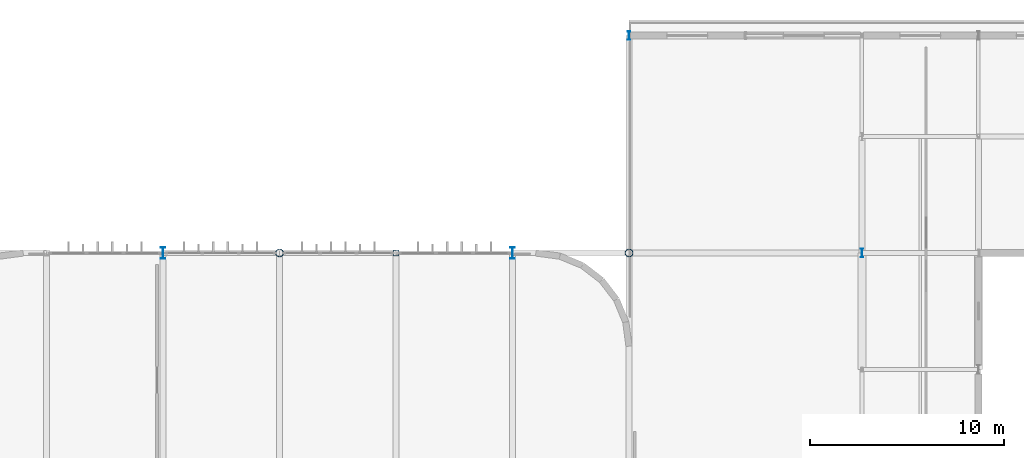
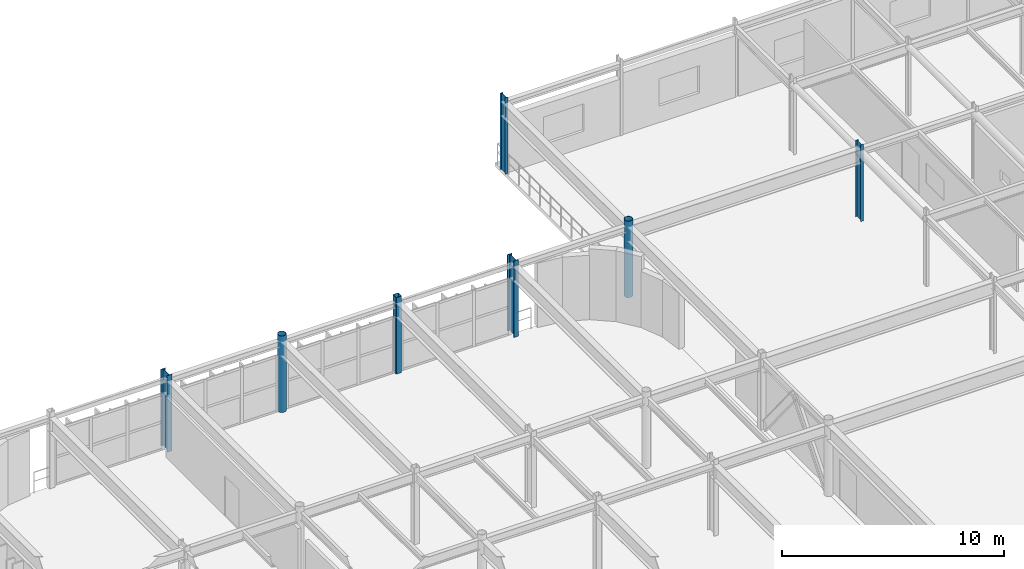
# One storey, part 19 of 116: 7 columns.
"""IFC4 building model written with IfcOpenShell, lengths in metres."""

from ifc_helpers import new_model, si_unit, direction, frame, origin, origin_2d, place, context, subcontext, project, spatial, hollow_rectangle, hollow_circle, i_section, extrude, material, material_profile, profile_set, type_object, element, save


model = new_model("IFC4")

# Units and contexts
model_context = context("Model", 3, precision=1e-05, world=origin(), true_north=direction((0.0, 1.0)))
body_context = subcontext(model_context, "Body", "Model", "MODEL_VIEW")
ifc_project = project(units=[si_unit("LENGTHUNIT", "METRE"), si_unit("AREAUNIT", "SQUARE_METRE"), si_unit("VOLUMEUNIT", "CUBIC_METRE"), si_unit("PLANEANGLEUNIT", "RADIAN"), si_unit("MASSUNIT", "GRAM", prefix="KILO")], contexts=[model_context])

# Site, building, storey
site_placement = place(None, origin())
site = spatial("IfcSite", under=ifc_project, at=site_placement, CompositionType="ELEMENT")
building_placement = place(site_placement, origin())
building = spatial("IfcBuilding", under=site, at=building_placement, Name="Varnakota Square Police Headquarters", CompositionType="ELEMENT")
storey_placement = place(building_placement, frame((0.0, 0.0, 9.300048828125)))
storey = spatial("IfcBuildingStorey", under=building, at=storey_placement, Name="L02", CompositionType="ELEMENT", Elevation=9.300048828125)

# Columns
ifc_material = material(Name="Steel IS 2062 Grade 350", Category="steel")
ifc_material_profile_1 = material_profile(ifc_material, hollow_circle(Radius=0.203125, WallThickness=0.01611328125, at=origin_2d()), Name="CHS 406.4x16.0")
ifc_profile_set_1 = profile_set([ifc_material_profile_1], Name="Steel IS 2062 Grade 350")
column_type_1 = type_object("IfcColumnType", Name="COL-CHS406", PredefinedType="COLUMN", material=ifc_profile_set_1)
for number, where, z_axis, x_axis, name in (
    (1, (78.0, 99.0, 0.0), (0.0, 0.0, 1.0), (1.0, 0.0, 0.0), "Column X0780-Y0990 L02"),
    (2, (96.0, 99.0, 0.0), (0.0, 0.0, 1.0), (1.0, 0.0, 0.0), "Column X0960-Y0990 L02"),
):
    element("IfcColumn", number, at=place(storey_placement, frame(where, z_axis=z_axis, x_axis=x_axis)), inside=storey, type_object=column_type_1, Name=name, PredefinedType="COLUMN", context=body_context, shape_type="SweptSolid", body=[
        extrude(hollow_circle(Radius=0.203125, WallThickness=0.01611328125, at=origin_2d()), origin(), (0.0, 0.0, 1.0), 4.199951171875),
    ])
ifc_material_profile_2 = material_profile(ifc_material, i_section(OverallWidth=0.14990234375, OverallDepth=0.449951171875, WebThickness=0.009521484375, FlangeThickness=0.017333984375, FilletRadius=0.014892578125, at=origin_2d()), Name="ISMB 450")
ifc_profile_set_2 = profile_set([ifc_material_profile_2], Name="Steel IS 2062 Grade 350")
column_type_2 = type_object("IfcColumnType", Name="COL-ISMB450", PredefinedType="COLUMN", material=ifc_profile_set_2)
for number, where, z_axis, x_axis, name in (
    (3, (96.0, 110.199951171875, 0.0), (0.0, 0.0, 1.0), (1.0, 0.0, 0.0), "Column X0960-Y1102 L02"),
    (4, (108.0, 99.0, 0.0), (0.0, 0.0, 1.0), (1.0, 0.0, 0.0), "Column X1080-Y0990 L02"),
):
    element("IfcColumn", number, at=place(storey_placement, frame(where, z_axis=z_axis, x_axis=x_axis)), inside=storey, type_object=column_type_2, Name=name, PredefinedType="COLUMN", context=body_context, shape_type="SweptSolid", body=[
        extrude(i_section(OverallWidth=0.14990234375, OverallDepth=0.449951171875, WebThickness=0.009521484375, FlangeThickness=0.017333984375, FilletRadius=0.014892578125, at=origin_2d()), origin(), (0.0, 0.0, 1.0), 4.199951171875),
    ])
ifc_material_profile_3 = material_profile(ifc_material, i_section(OverallWidth=0.25, OverallDepth=0.60009765625, WebThickness=0.01171875, FlangeThickness=0.023681640625, FilletRadius=0.01708984375, at=origin_2d()), Name="ISWB 600")
ifc_profile_set_3 = profile_set([ifc_material_profile_3], Name="Steel IS 2062 Grade 350")
column_type_3 = type_object("IfcColumnType", Name="COL-ISWB600", PredefinedType="COLUMN", material=ifc_profile_set_3)
for number, where, z_axis, x_axis, name in (
    (5, (72.0, 99.0, 0.0), (0.0, 0.0, 1.0), (1.0, 0.0, 0.0), "Column X0720-Y0990 L02"),
    (6, (90.0, 99.0, 0.0), (0.0, 0.0, 1.0), (1.0, 0.0, 0.0), "Column X0900-Y0990 L02"),
):
    element("IfcColumn", number, at=place(storey_placement, frame(where, z_axis=z_axis, x_axis=x_axis)), inside=storey, type_object=column_type_3, Name=name, PredefinedType="COLUMN", context=body_context, shape_type="SweptSolid", body=[
        extrude(i_section(OverallWidth=0.25, OverallDepth=0.60009765625, WebThickness=0.01171875, FlangeThickness=0.023681640625, FilletRadius=0.01708984375, at=origin_2d()), origin(), (0.0, 0.0, 1.0), 4.199951171875),
    ])
ifc_material_profile_4 = material_profile(ifc_material, hollow_rectangle(XDim=0.300048828125, YDim=0.300048828125, WallThickness=0.01611328125, InnerFilletRadius=0.01611328125, OuterFilletRadius=0.031982421875, at=origin_2d()), Name="SHS 300x300x16")
ifc_profile_set_4 = profile_set([ifc_material_profile_4], Name="Steel IS 2062 Grade 350")
column_type_4 = type_object("IfcColumnType", Name="COL-SHS300", PredefinedType="COLUMN", material=ifc_profile_set_4)
column_placement = place(storey_placement, frame((84.0, 99.0, 0.0), z_axis=(0.0, 0.0, 1.0), x_axis=(1.0, 0.0, 0.0)))
element("IfcColumn", 7, at=column_placement, inside=storey, type_object=column_type_4, Name="Column X0840-Y0990 L02", PredefinedType="COLUMN", context=body_context, shape_type="SweptSolid", body=[
    extrude(hollow_rectangle(XDim=0.300048828125, YDim=0.300048828125, WallThickness=0.01611328125, InnerFilletRadius=0.01611328125, OuterFilletRadius=0.031982421875, at=origin_2d()), origin(), (0.0, 0.0, 1.0), 4.199951171875),
])

save(model, "model.ifc")
